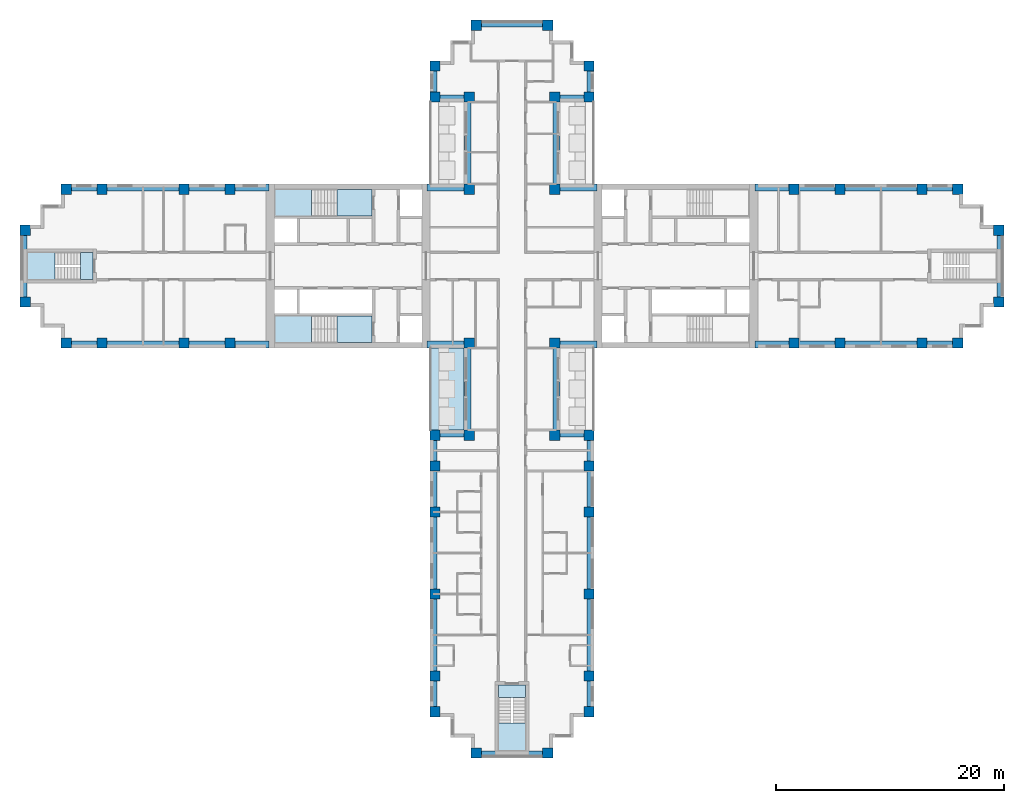
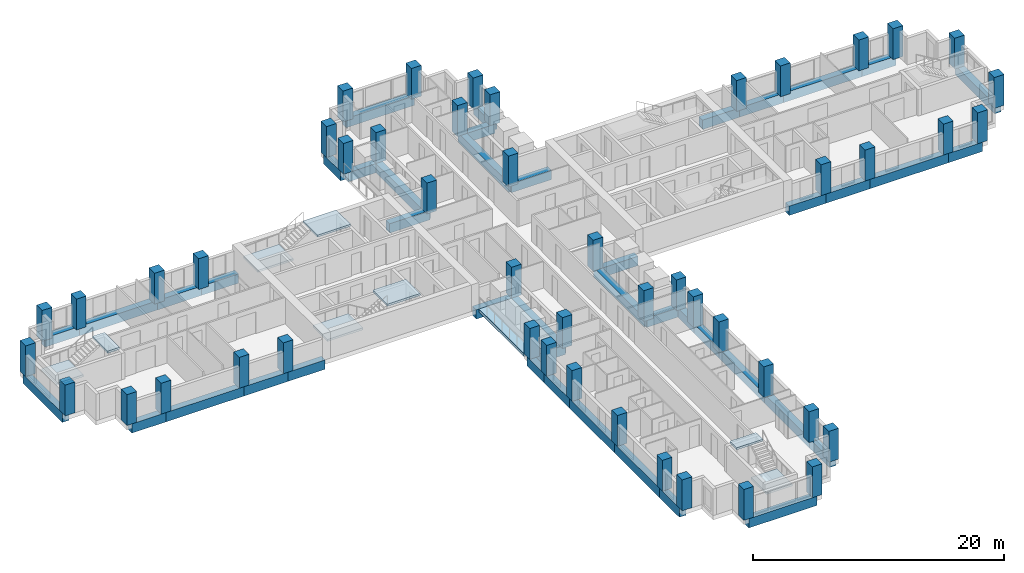
# One storey, part 1 of 13: 48 columns, 44 beams, 9 slabs, 4 elements without a shape of their own.
"""IFC4 building model written with IfcOpenShell, lengths in metres."""

from ifc_helpers import new_model, si_unit, direction, frame, origin, origin_2d, place, context, subcontext, project, spatial, polyline, rectangle, outline, extrude, material, layer, layer_set, material_profile, profile_set, type_object, element, aggregate, save


model = new_model("IFC4")

# Units and contexts
model_context = context("Model", 3, precision=1e-05, world=origin(), true_north=direction((0.0, 1.0)))
body_context = subcontext(model_context, "Body", "Model", "MODEL_VIEW")
ifc_project = project(units=[si_unit("LENGTHUNIT", "METRE"), si_unit("AREAUNIT", "SQUARE_METRE"), si_unit("VOLUMEUNIT", "CUBIC_METRE"), si_unit("PLANEANGLEUNIT", "RADIAN"), si_unit("MASSUNIT", "GRAM", prefix="KILO")], contexts=[model_context])

# Site, building, storey
site_placement = place(None, origin())
site = spatial("IfcSite", under=ifc_project, at=site_placement, CompositionType="ELEMENT")
building_placement = place(site_placement, origin())
building = spatial("IfcBuilding", under=site, at=building_placement, Name="Fustian Cross Tower", CompositionType="ELEMENT")
storey_placement = place(building_placement, frame((0.0, 0.0, 105.89990234375)))
storey = spatial("IfcBuildingStorey", under=building, at=storey_placement, Name="L33", CompositionType="ELEMENT", Elevation=105.89990234375)

# Columns
ifc_material_1 = material(Name="Concrete C60/75", Category="concrete")
ifc_material_profile_1 = material_profile(ifc_material_1, rectangle(XDim=0.89990234375, YDim=0.89990234375, at=origin_2d()), Name="RC 900x900")
ifc_profile_set_1 = profile_set([ifc_material_profile_1], Name="Concrete C60/75")
column_type = type_object("IfcColumnType", Name="COLUMN RC 900x900 C60/75", PredefinedType="COLUMN", material=ifc_profile_set_1)
for number, where, z_axis, x_axis, name in (
    (1, (-42.75, -3.14990234375, 0.0), (0.0, 0.0, 1.0), (1.0, 0.0, 0.0), "COLUMN 001"),
    (2, (-42.75, 3.14990234375, 0.0), (0.0, 0.0, 1.0), (1.0, 0.0, 0.0), "COLUMN 002"),
    (3, (-39.14990234375, -6.75, 0.0), (0.0, 0.0, 1.0), (1.0, 0.0, 0.0), "COLUMN 003"),
    (4, (-39.14990234375, 6.75, 0.0), (0.0, 0.0, 1.0), (1.0, 0.0, 0.0), "COLUMN 004"),
    (5, (-36.0, -6.75, 0.0), (0.0, 0.0, 1.0), (1.0, 0.0, 0.0), "COLUMN 005"),
    (6, (-36.0, 6.75, 0.0), (0.0, 0.0, 1.0), (1.0, 0.0, 0.0), "COLUMN 006"),
    (7, (-28.800048828125, -6.75, 0.0), (0.0, 0.0, 1.0), (1.0, 0.0, 0.0), "COLUMN 007"),
    (8, (-28.800048828125, 6.75, 0.0), (0.0, 0.0, 1.0), (1.0, 0.0, 0.0), "COLUMN 010"),
    (9, (-24.75, -6.75, 0.0), (0.0, 0.0, 1.0), (1.0, 0.0, 0.0), "COLUMN 011"),
    (10, (-24.75, 6.75, 0.0), (0.0, 0.0, 1.0), (1.0, 0.0, 0.0), "COLUMN 012"),
    (11, (-6.75, -39.14990234375, 0.0), (0.0, 0.0, 1.0), (1.0, 0.0, 0.0), "COLUMN 013"),
    (12, (-6.75, -36.0, 0.0), (0.0, 0.0, 1.0), (1.0, 0.0, 0.0), "COLUMN 014"),
    (13, (-6.75, -28.800048828125, 0.0), (0.0, 0.0, 1.0), (1.0, 0.0, 0.0), "COLUMN 015"),
    (14, (-6.75, -21.60009765625, 0.0), (0.0, 0.0, 1.0), (1.0, 0.0, 0.0), "COLUMN 016"),
    (15, (-6.75, -17.550048828125, 0.0), (0.0, 0.0, 1.0), (1.0, 0.0, 0.0), "COLUMN 017"),
    (16, (-6.75, -14.85009765625, 0.0), (0.0, 0.0, 1.0), (1.0, 0.0, 0.0), "COLUMN 018"),
    (17, (-6.75, 14.85009765625, 0.0), (0.0, 0.0, 1.0), (1.0, 0.0, 0.0), "COLUMN 019"),
    (18, (-6.75, 17.550048828125, 0.0), (0.0, 0.0, 1.0), (1.0, 0.0, 0.0), "COLUMN 020"),
    (19, (-3.75, -14.85009765625, 0.0), (0.0, 0.0, 1.0), (1.0, 0.0, 0.0), "COLUMN 025"),
    (20, (-3.75, -6.75, 0.0), (0.0, 0.0, 1.0), (1.0, 0.0, 0.0), "COLUMN 026"),
    (21, (-3.75, 6.75, 0.0), (0.0, 0.0, 1.0), (1.0, 0.0, 0.0), "COLUMN 027"),
    (22, (-3.75, 14.85009765625, 0.0), (0.0, 0.0, 1.0), (1.0, 0.0, 0.0), "COLUMN 028"),
    (23, (-3.14990234375, -42.75, 0.0), (0.0, 0.0, 1.0), (1.0, 0.0, 0.0), "COLUMN 029"),
    (24, (-3.14990234375, 21.14990234375, 0.0), (0.0, 0.0, 1.0), (1.0, 0.0, 0.0), "COLUMN 031"),
    (25, (3.14990234375, -42.75, 0.0), (0.0, 0.0, 1.0), (1.0, 0.0, 0.0), "COLUMN 033"),
    (26, (3.14990234375, 21.14990234375, 0.0), (0.0, 0.0, 1.0), (1.0, 0.0, 0.0), "COLUMN 035"),
    (27, (3.75, -14.85009765625, 0.0), (0.0, 0.0, 1.0), (1.0, 0.0, 0.0), "COLUMN 037"),
    (28, (3.75, -6.75, 0.0), (0.0, 0.0, 1.0), (1.0, 0.0, 0.0), "COLUMN 038"),
    (29, (3.75, 6.75, 0.0), (0.0, 0.0, 1.0), (1.0, 0.0, 0.0), "COLUMN 039"),
    (30, (3.75, 14.85009765625, 0.0), (0.0, 0.0, 1.0), (1.0, 0.0, 0.0), "COLUMN 040"),
    (31, (6.75, -39.14990234375, 0.0), (0.0, 0.0, 1.0), (1.0, 0.0, 0.0), "COLUMN 041"),
    (32, (6.75, -36.0, 0.0), (0.0, 0.0, 1.0), (1.0, 0.0, 0.0), "COLUMN 042"),
    (33, (6.75, -28.800048828125, 0.0), (0.0, 0.0, 1.0), (1.0, 0.0, 0.0), "COLUMN 043"),
    (34, (6.75, -21.60009765625, 0.0), (0.0, 0.0, 1.0), (1.0, 0.0, 0.0), "COLUMN 044"),
    (35, (6.75, -17.550048828125, 0.0), (0.0, 0.0, 1.0), (1.0, 0.0, 0.0), "COLUMN 045"),
    (36, (6.75, -14.85009765625, 0.0), (0.0, 0.0, 1.0), (1.0, 0.0, 0.0), "COLUMN 046"),
    (37, (6.75, 14.85009765625, 0.0), (0.0, 0.0, 1.0), (1.0, 0.0, 0.0), "COLUMN 047"),
    (38, (6.75, 17.550048828125, 0.0), (0.0, 0.0, 1.0), (1.0, 0.0, 0.0), "COLUMN 048"),
    (39, (24.75, -6.75, 0.0), (0.0, 0.0, 1.0), (1.0, 0.0, 0.0), "COLUMN 053"),
    (40, (24.75, 6.75, 0.0), (0.0, 0.0, 1.0), (1.0, 0.0, 0.0), "COLUMN 054"),
    (41, (28.800048828125, -6.75, 0.0), (0.0, 0.0, 1.0), (1.0, 0.0, 0.0), "COLUMN 055"),
    (42, (28.800048828125, 6.75, 0.0), (0.0, 0.0, 1.0), (1.0, 0.0, 0.0), "COLUMN 058"),
    (43, (36.0, -6.75, 0.0), (0.0, 0.0, 1.0), (1.0, 0.0, 0.0), "COLUMN 059"),
    (44, (36.0, 6.75, 0.0), (0.0, 0.0, 1.0), (1.0, 0.0, 0.0), "COLUMN 060"),
    (45, (39.14990234375, -6.75, 0.0), (0.0, 0.0, 1.0), (1.0, 0.0, 0.0), "COLUMN 061"),
    (46, (39.14990234375, 6.75, 0.0), (0.0, 0.0, 1.0), (1.0, 0.0, 0.0), "COLUMN 062"),
    (47, (42.75, -3.14990234375, 0.0), (0.0, 0.0, 1.0), (1.0, 0.0, 0.0), "COLUMN 063"),
    (48, (42.75, 3.14990234375, 0.0), (0.0, 0.0, 1.0), (1.0, 0.0, 0.0), "COLUMN 064"),
):
    element("IfcColumn", number, at=place(storey_placement, frame(where, z_axis=z_axis, x_axis=x_axis)), inside=storey, type_object=column_type, Name=name, PredefinedType="COLUMN", context=body_context, shape_type="SweptSolid", body=[
        extrude(rectangle(XDim=0.89990234375, YDim=0.89990234375, at=origin_2d()), origin(), (0.0, 0.0, 1.0), 3.0),
    ])

# Beams
ifc_material_2 = material(Name="Concrete C50/60", Category="concrete")
ifc_material_profile_2 = material_profile(ifc_material_2, rectangle(XDim=0.60009765625, YDim=0.89990234375, at=origin_2d()), Name="RC 600x900")
ifc_profile_set_2 = profile_set([ifc_material_profile_2], Name="Concrete C50/60")
beam_type = type_object("IfcBeamType", Name="EDGE BEAM RC 600x900 C50/60", PredefinedType="SPANDREL", material=ifc_profile_set_2)
beam_1_placement = place(storey_placement, frame((21.35009765625, -6.89990234375, -0.449951171875), z_axis=(1.0, 0.0, 0.0), x_axis=(0.0, 1.0, 0.0)))
element("IfcBeam", 49, at=beam_1_placement, inside=storey, type_object=beam_type, Name="EDGE BEAM L33-01", PredefinedType="SPANDREL", context=body_context, shape_type="SweptSolid", body=[
    extrude(rectangle(XDim=0.60009765625, YDim=0.89990234375, at=origin_2d()), origin(), (0.0, 0.0, 1.0), 3.39990234375),
])
beam_2_placement = place(storey_placement, frame((24.75, -6.89990234375, -0.449951171875), z_axis=(1.0, 0.0, 0.0), x_axis=(0.0, 1.0, 0.0)))
element("IfcBeam", 50, at=beam_2_placement, inside=storey, type_object=beam_type, Name="EDGE BEAM L33-02", PredefinedType="SPANDREL", context=body_context, shape_type="SweptSolid", body=[
    extrude(rectangle(XDim=0.60009765625, YDim=0.89990234375, at=origin_2d()), origin(), (0.0, 0.0, 1.0), 4.050048828125),
])
beam_3_placement = place(storey_placement, frame((28.800048828125, -6.89990234375, -0.449951171875), z_axis=(1.0, 0.0, 0.0), x_axis=(0.0, 1.0, 0.0)))
element("IfcBeam", 51, at=beam_3_placement, inside=storey, type_object=beam_type, Name="EDGE BEAM L33-03", PredefinedType="SPANDREL", context=body_context, shape_type="SweptSolid", body=[
    extrude(rectangle(XDim=0.60009765625, YDim=0.89990234375, at=origin_2d()), origin(), (0.0, 0.0, 1.0), 7.199951171875),
])
beam_4_placement = place(storey_placement, frame((36.0, -6.89990234375, -0.449951171875), z_axis=(1.0, 0.0, 0.0), x_axis=(0.0, 1.0, 0.0)))
element("IfcBeam", 52, at=beam_4_placement, inside=storey, type_object=beam_type, Name="EDGE BEAM L33-04", PredefinedType="SPANDREL", context=body_context, shape_type="SweptSolid", body=[
    extrude(rectangle(XDim=0.60009765625, YDim=0.89990234375, at=origin_2d()), origin(), (0.0, 0.0, 1.0), 3.14990234375),
])
beam_5_placement = place(storey_placement, frame((42.89990234375, -3.14990234375, -0.449951171875), z_axis=(0.0, 1.0, 0.0), x_axis=(-1.0, 0.0, 0.0)))
element("IfcBeam", 53, at=beam_5_placement, inside=storey, type_object=beam_type, Name="EDGE BEAM L33-05", PredefinedType="SPANDREL", context=body_context, shape_type="SweptSolid", body=[
    extrude(rectangle(XDim=0.60009765625, YDim=0.89990234375, at=origin_2d()), origin(), (0.0, 0.0, 1.0), 6.2998046875),
])
beam_6_placement = place(storey_placement, frame((39.14990234375, 6.89990234375, -0.449951171875), z_axis=(-1.0, 0.0, 0.0), x_axis=(0.0, -1.0, 0.0)))
element("IfcBeam", 54, at=beam_6_placement, inside=storey, type_object=beam_type, Name="EDGE BEAM L33-06", PredefinedType="SPANDREL", context=body_context, shape_type="SweptSolid", body=[
    extrude(rectangle(XDim=0.60009765625, YDim=0.89990234375, at=origin_2d()), origin(), (0.0, 0.0, 1.0), 3.14990234375),
])
beam_7_placement = place(storey_placement, frame((36.0, 6.89990234375, -0.449951171875), z_axis=(-1.0, 0.0, 0.0), x_axis=(0.0, -1.0, 0.0)))
element("IfcBeam", 55, at=beam_7_placement, inside=storey, type_object=beam_type, Name="EDGE BEAM L33-07", PredefinedType="SPANDREL", context=body_context, shape_type="SweptSolid", body=[
    extrude(rectangle(XDim=0.60009765625, YDim=0.89990234375, at=origin_2d()), origin(), (0.0, 0.0, 1.0), 7.199951171875),
])
beam_8_placement = place(storey_placement, frame((28.800048828125, 6.89990234375, -0.449951171875), z_axis=(-1.0, 0.0, 0.0), x_axis=(0.0, -1.0, 0.0)))
element("IfcBeam", 56, at=beam_8_placement, inside=storey, type_object=beam_type, Name="EDGE BEAM L33-08", PredefinedType="SPANDREL", context=body_context, shape_type="SweptSolid", body=[
    extrude(rectangle(XDim=0.60009765625, YDim=0.89990234375, at=origin_2d()), origin(), (0.0, 0.0, 1.0), 4.050048828125),
])
beam_9_placement = place(storey_placement, frame((24.75, 6.89990234375, -0.449951171875), z_axis=(-1.0, 0.0, 0.0), x_axis=(0.0, -1.0, 0.0)))
element("IfcBeam", 57, at=beam_9_placement, inside=storey, type_object=beam_type, Name="EDGE BEAM L33-09", PredefinedType="SPANDREL", context=body_context, shape_type="SweptSolid", body=[
    extrude(rectangle(XDim=0.60009765625, YDim=0.89990234375, at=origin_2d()), origin(), (0.0, 0.0, 1.0), 3.39990234375),
])
beam_10_placement = place(storey_placement, frame((7.449951171875, 6.89990234375, -0.449951171875), z_axis=(-1.0, 0.0, 0.0), x_axis=(0.0, -1.0, 0.0)))
element("IfcBeam", 58, at=beam_10_placement, inside=storey, type_object=beam_type, Name="EDGE BEAM L33-10", PredefinedType="SPANDREL", context=body_context, shape_type="SweptSolid", body=[
    extrude(rectangle(XDim=0.60009765625, YDim=0.89990234375, at=origin_2d()), origin(), (0.0, 0.0, 1.0), 3.699951171875),
])
beam_11_placement = place(storey_placement, frame((3.89990234375, 6.75, -0.449951171875), z_axis=(0.0, 1.0, 0.0), x_axis=(-1.0, 0.0, 0.0)))
element("IfcBeam", 59, at=beam_11_placement, inside=storey, type_object=beam_type, Name="EDGE BEAM L33-11", PredefinedType="SPANDREL", context=body_context, shape_type="SweptSolid", body=[
    extrude(rectangle(XDim=0.60009765625, YDim=0.89990234375, at=origin_2d()), origin(), (0.0, 0.0, 1.0), 8.10009765625),
])
beam_12_placement = place(storey_placement, frame((3.75, 14.699951171875, -0.449951171875), z_axis=(1.0, 0.0, 0.0), x_axis=(0.0, 1.0, 0.0)))
element("IfcBeam", 60, at=beam_12_placement, inside=storey, type_object=beam_type, Name="EDGE BEAM L33-12", PredefinedType="SPANDREL", context=body_context, shape_type="SweptSolid", body=[
    extrude(rectangle(XDim=0.60009765625, YDim=0.89990234375, at=origin_2d()), origin(), (0.0, 0.0, 1.0), 3.0),
])
beam_13_placement = place(storey_placement, frame((6.89990234375, 14.85009765625, -0.449951171875), z_axis=(0.0, 1.0, 0.0), x_axis=(-1.0, 0.0, 0.0)))
element("IfcBeam", 61, at=beam_13_placement, inside=storey, type_object=beam_type, Name="EDGE BEAM L33-13", PredefinedType="SPANDREL", context=body_context, shape_type="SweptSolid", body=[
    extrude(rectangle(XDim=0.60009765625, YDim=0.89990234375, at=origin_2d()), origin(), (0.0, 0.0, 1.0), 2.699951171875),
])
beam_14_placement = place(storey_placement, frame((3.14990234375, 21.300048828125, -0.449951171875), z_axis=(-1.0, 0.0, 0.0), x_axis=(0.0, -1.0, 0.0)))
element("IfcBeam", 62, at=beam_14_placement, inside=storey, type_object=beam_type, Name="EDGE BEAM L33-14", PredefinedType="SPANDREL", context=body_context, shape_type="SweptSolid", body=[
    extrude(rectangle(XDim=0.60009765625, YDim=0.89990234375, at=origin_2d()), origin(), (0.0, 0.0, 1.0), 6.2998046875),
])
beam_15_placement = place(storey_placement, frame((-6.89990234375, 17.550048828125, -0.449951171875), z_axis=(0.0, -1.0, 0.0), x_axis=(1.0, 0.0, 0.0)))
element("IfcBeam", 63, at=beam_15_placement, inside=storey, type_object=beam_type, Name="EDGE BEAM L33-15", PredefinedType="SPANDREL", context=body_context, shape_type="SweptSolid", body=[
    extrude(rectangle(XDim=0.60009765625, YDim=0.89990234375, at=origin_2d()), origin(), (0.0, 0.0, 1.0), 2.699951171875),
])
beam_16_placement = place(storey_placement, frame((-6.75, 14.699951171875, -0.449951171875), z_axis=(1.0, 0.0, 0.0), x_axis=(0.0, 1.0, 0.0)))
element("IfcBeam", 64, at=beam_16_placement, inside=storey, type_object=beam_type, Name="EDGE BEAM L33-16", PredefinedType="SPANDREL", context=body_context, shape_type="SweptSolid", body=[
    extrude(rectangle(XDim=0.60009765625, YDim=0.89990234375, at=origin_2d()), origin(), (0.0, 0.0, 1.0), 3.0),
])
beam_17_placement = place(storey_placement, frame((-3.89990234375, 14.85009765625, -0.449951171875), z_axis=(0.0, -1.0, 0.0), x_axis=(1.0, 0.0, 0.0)))
element("IfcBeam", 65, at=beam_17_placement, inside=storey, type_object=beam_type, Name="EDGE BEAM L33-17", PredefinedType="SPANDREL", context=body_context, shape_type="SweptSolid", body=[
    extrude(rectangle(XDim=0.60009765625, YDim=0.89990234375, at=origin_2d()), origin(), (0.0, 0.0, 1.0), 8.10009765625),
])
beam_18_placement = place(storey_placement, frame((-3.75, 6.89990234375, -0.449951171875), z_axis=(-1.0, 0.0, 0.0), x_axis=(0.0, -1.0, 0.0)))
element("IfcBeam", 66, at=beam_18_placement, inside=storey, type_object=beam_type, Name="EDGE BEAM L33-18", PredefinedType="SPANDREL", context=body_context, shape_type="SweptSolid", body=[
    extrude(rectangle(XDim=0.60009765625, YDim=0.89990234375, at=origin_2d()), origin(), (0.0, 0.0, 1.0), 3.699951171875),
])
beam_19_placement = place(storey_placement, frame((-21.35009765625, 6.89990234375, -0.449951171875), z_axis=(-1.0, 0.0, 0.0), x_axis=(0.0, -1.0, 0.0)))
element("IfcBeam", 67, at=beam_19_placement, inside=storey, type_object=beam_type, Name="EDGE BEAM L33-19", PredefinedType="SPANDREL", context=body_context, shape_type="SweptSolid", body=[
    extrude(rectangle(XDim=0.60009765625, YDim=0.89990234375, at=origin_2d()), origin(), (0.0, 0.0, 1.0), 3.39990234375),
])
beam_20_placement = place(storey_placement, frame((-24.75, 6.89990234375, -0.449951171875), z_axis=(-1.0, 0.0, 0.0), x_axis=(0.0, -1.0, 0.0)))
element("IfcBeam", 68, at=beam_20_placement, inside=storey, type_object=beam_type, Name="EDGE BEAM L33-20", PredefinedType="SPANDREL", context=body_context, shape_type="SweptSolid", body=[
    extrude(rectangle(XDim=0.60009765625, YDim=0.89990234375, at=origin_2d()), origin(), (0.0, 0.0, 1.0), 4.050048828125),
])
beam_21_placement = place(storey_placement, frame((-28.800048828125, 6.89990234375, -0.449951171875), z_axis=(-1.0, 0.0, 0.0), x_axis=(0.0, -1.0, 0.0)))
element("IfcBeam", 69, at=beam_21_placement, inside=storey, type_object=beam_type, Name="EDGE BEAM L33-21", PredefinedType="SPANDREL", context=body_context, shape_type="SweptSolid", body=[
    extrude(rectangle(XDim=0.60009765625, YDim=0.89990234375, at=origin_2d()), origin(), (0.0, 0.0, 1.0), 7.199951171875),
])
beam_22_placement = place(storey_placement, frame((-36.0, 6.89990234375, -0.449951171875), z_axis=(-1.0, 0.0, 0.0), x_axis=(0.0, -1.0, 0.0)))
element("IfcBeam", 70, at=beam_22_placement, inside=storey, type_object=beam_type, Name="EDGE BEAM L33-22", PredefinedType="SPANDREL", context=body_context, shape_type="SweptSolid", body=[
    extrude(rectangle(XDim=0.60009765625, YDim=0.89990234375, at=origin_2d()), origin(), (0.0, 0.0, 1.0), 3.14990234375),
])
beam_23_placement = place(storey_placement, frame((-42.89990234375, 3.14990234375, -0.449951171875), z_axis=(0.0, -1.0, 0.0), x_axis=(1.0, 0.0, 0.0)))
element("IfcBeam", 71, at=beam_23_placement, inside=storey, type_object=beam_type, Name="EDGE BEAM L33-23", PredefinedType="SPANDREL", context=body_context, shape_type="SweptSolid", body=[
    extrude(rectangle(XDim=0.60009765625, YDim=0.89990234375, at=origin_2d()), origin(), (0.0, 0.0, 1.0), 6.2998046875),
])
beam_24_placement = place(storey_placement, frame((-39.14990234375, -6.89990234375, -0.449951171875), z_axis=(1.0, 0.0, 0.0), x_axis=(0.0, 1.0, 0.0)))
element("IfcBeam", 72, at=beam_24_placement, inside=storey, type_object=beam_type, Name="EDGE BEAM L33-24", PredefinedType="SPANDREL", context=body_context, shape_type="SweptSolid", body=[
    extrude(rectangle(XDim=0.60009765625, YDim=0.89990234375, at=origin_2d()), origin(), (0.0, 0.0, 1.0), 3.14990234375),
])
beam_25_placement = place(storey_placement, frame((-36.0, -6.89990234375, -0.449951171875), z_axis=(1.0, 0.0, 0.0), x_axis=(0.0, 1.0, 0.0)))
element("IfcBeam", 73, at=beam_25_placement, inside=storey, type_object=beam_type, Name="EDGE BEAM L33-25", PredefinedType="SPANDREL", context=body_context, shape_type="SweptSolid", body=[
    extrude(rectangle(XDim=0.60009765625, YDim=0.89990234375, at=origin_2d()), origin(), (0.0, 0.0, 1.0), 7.199951171875),
])
beam_26_placement = place(storey_placement, frame((-28.800048828125, -6.89990234375, -0.449951171875), z_axis=(1.0, 0.0, 0.0), x_axis=(0.0, 1.0, 0.0)))
element("IfcBeam", 74, at=beam_26_placement, inside=storey, type_object=beam_type, Name="EDGE BEAM L33-26", PredefinedType="SPANDREL", context=body_context, shape_type="SweptSolid", body=[
    extrude(rectangle(XDim=0.60009765625, YDim=0.89990234375, at=origin_2d()), origin(), (0.0, 0.0, 1.0), 4.050048828125),
])
beam_27_placement = place(storey_placement, frame((-24.75, -6.89990234375, -0.449951171875), z_axis=(1.0, 0.0, 0.0), x_axis=(0.0, 1.0, 0.0)))
element("IfcBeam", 75, at=beam_27_placement, inside=storey, type_object=beam_type, Name="EDGE BEAM L33-27", PredefinedType="SPANDREL", context=body_context, shape_type="SweptSolid", body=[
    extrude(rectangle(XDim=0.60009765625, YDim=0.89990234375, at=origin_2d()), origin(), (0.0, 0.0, 1.0), 3.39990234375),
])
beam_28_placement = place(storey_placement, frame((-7.449951171875, -6.89990234375, -0.449951171875), z_axis=(1.0, 0.0, 0.0), x_axis=(0.0, 1.0, 0.0)))
element("IfcBeam", 76, at=beam_28_placement, inside=storey, type_object=beam_type, Name="EDGE BEAM L33-28", PredefinedType="SPANDREL", context=body_context, shape_type="SweptSolid", body=[
    extrude(rectangle(XDim=0.60009765625, YDim=0.89990234375, at=origin_2d()), origin(), (0.0, 0.0, 1.0), 3.699951171875),
])
beam_29_placement = place(storey_placement, frame((-3.89990234375, -6.75, -0.449951171875), z_axis=(0.0, -1.0, 0.0), x_axis=(1.0, 0.0, 0.0)))
element("IfcBeam", 77, at=beam_29_placement, inside=storey, type_object=beam_type, Name="EDGE BEAM L33-29", PredefinedType="SPANDREL", context=body_context, shape_type="SweptSolid", body=[
    extrude(rectangle(XDim=0.60009765625, YDim=0.89990234375, at=origin_2d()), origin(), (0.0, 0.0, 1.0), 8.10009765625),
])
beam_30_placement = place(storey_placement, frame((-3.75, -14.699951171875, -0.449951171875), z_axis=(-1.0, 0.0, 0.0), x_axis=(0.0, -1.0, 0.0)))
element("IfcBeam", 78, at=beam_30_placement, inside=storey, type_object=beam_type, Name="EDGE BEAM L33-30", PredefinedType="SPANDREL", context=body_context, shape_type="SweptSolid", body=[
    extrude(rectangle(XDim=0.60009765625, YDim=0.89990234375, at=origin_2d()), origin(), (0.0, 0.0, 1.0), 3.0),
])
beam_31_placement = place(storey_placement, frame((-6.89990234375, -14.85009765625, -0.449951171875), z_axis=(0.0, -1.0, 0.0), x_axis=(1.0, 0.0, 0.0)))
element("IfcBeam", 79, at=beam_31_placement, inside=storey, type_object=beam_type, Name="EDGE BEAM L33-31", PredefinedType="SPANDREL", context=body_context, shape_type="SweptSolid", body=[
    extrude(rectangle(XDim=0.60009765625, YDim=0.89990234375, at=origin_2d()), origin(), (0.0, 0.0, 1.0), 2.699951171875),
])
beam_32_placement = place(storey_placement, frame((-6.89990234375, -17.550048828125, -0.449951171875), z_axis=(0.0, -1.0, 0.0), x_axis=(1.0, 0.0, 0.0)))
element("IfcBeam", 80, at=beam_32_placement, inside=storey, type_object=beam_type, Name="EDGE BEAM L33-32", PredefinedType="SPANDREL", context=body_context, shape_type="SweptSolid", body=[
    extrude(rectangle(XDim=0.60009765625, YDim=0.89990234375, at=origin_2d()), origin(), (0.0, 0.0, 1.0), 4.050048828125),
])
for number, where, z_axis, x_axis, name in (
    (81, (-6.89990234375, -21.60009765625, -0.449951171875), (0.0, -1.0, 0.0), (1.0, 0.0, 0.0), "EDGE BEAM L33-33"),
    (82, (-6.89990234375, -28.800048828125, -0.449951171875), (0.0, -1.0, 0.0), (1.0, 0.0, 0.0), "EDGE BEAM L33-34"),
):
    element("IfcBeam", number, at=place(storey_placement, frame(where, z_axis=z_axis, x_axis=x_axis)), inside=storey, type_object=beam_type, Name=name, PredefinedType="SPANDREL", context=body_context, shape_type="SweptSolid", body=[
        extrude(rectangle(XDim=0.60009765625, YDim=0.89990234375, at=origin_2d()), origin(), (0.0, 0.0, 1.0), 7.199951171875),
    ])
beam_33_placement = place(storey_placement, frame((-6.89990234375, -36.0, -0.449951171875), z_axis=(0.0, -1.0, 0.0), x_axis=(1.0, 0.0, 0.0)))
element("IfcBeam", 83, at=beam_33_placement, inside=storey, type_object=beam_type, Name="EDGE BEAM L33-35", PredefinedType="SPANDREL", context=body_context, shape_type="SweptSolid", body=[
    extrude(rectangle(XDim=0.60009765625, YDim=0.89990234375, at=origin_2d()), origin(), (0.0, 0.0, 1.0), 3.14990234375),
])
beam_34_placement = place(storey_placement, frame((-3.14990234375, -42.89990234375, -0.449951171875), z_axis=(1.0, 0.0, 0.0), x_axis=(0.0, 1.0, 0.0)))
element("IfcBeam", 84, at=beam_34_placement, inside=storey, type_object=beam_type, Name="EDGE BEAM L33-36", PredefinedType="SPANDREL", context=body_context, shape_type="SweptSolid", body=[
    extrude(rectangle(XDim=0.60009765625, YDim=0.89990234375, at=origin_2d()), origin(), (0.0, 0.0, 1.0), 6.2998046875),
])
beam_35_placement = place(storey_placement, frame((6.89990234375, -39.14990234375, -0.449951171875), z_axis=(0.0, 1.0, 0.0), x_axis=(-1.0, 0.0, 0.0)))
element("IfcBeam", 85, at=beam_35_placement, inside=storey, type_object=beam_type, Name="EDGE BEAM L33-37", PredefinedType="SPANDREL", context=body_context, shape_type="SweptSolid", body=[
    extrude(rectangle(XDim=0.60009765625, YDim=0.89990234375, at=origin_2d()), origin(), (0.0, 0.0, 1.0), 3.14990234375),
])
for number, where, z_axis, x_axis, name in (
    (86, (6.89990234375, -36.0, -0.449951171875), (0.0, 1.0, 0.0), (-1.0, 0.0, 0.0), "EDGE BEAM L33-38"),
    (87, (6.89990234375, -28.800048828125, -0.449951171875), (0.0, 1.0, 0.0), (-1.0, 0.0, 0.0), "EDGE BEAM L33-39"),
):
    element("IfcBeam", number, at=place(storey_placement, frame(where, z_axis=z_axis, x_axis=x_axis)), inside=storey, type_object=beam_type, Name=name, PredefinedType="SPANDREL", context=body_context, shape_type="SweptSolid", body=[
        extrude(rectangle(XDim=0.60009765625, YDim=0.89990234375, at=origin_2d()), origin(), (0.0, 0.0, 1.0), 7.199951171875),
    ])
beam_36_placement = place(storey_placement, frame((6.89990234375, -21.60009765625, -0.449951171875), z_axis=(0.0, 1.0, 0.0), x_axis=(-1.0, 0.0, 0.0)))
element("IfcBeam", 88, at=beam_36_placement, inside=storey, type_object=beam_type, Name="EDGE BEAM L33-40", PredefinedType="SPANDREL", context=body_context, shape_type="SweptSolid", body=[
    extrude(rectangle(XDim=0.60009765625, YDim=0.89990234375, at=origin_2d()), origin(), (0.0, 0.0, 1.0), 4.050048828125),
])
beam_37_placement = place(storey_placement, frame((6.89990234375, -17.550048828125, -0.449951171875), z_axis=(0.0, 1.0, 0.0), x_axis=(-1.0, 0.0, 0.0)))
element("IfcBeam", 89, at=beam_37_placement, inside=storey, type_object=beam_type, Name="EDGE BEAM L33-41", PredefinedType="SPANDREL", context=body_context, shape_type="SweptSolid", body=[
    extrude(rectangle(XDim=0.60009765625, YDim=0.89990234375, at=origin_2d()), origin(), (0.0, 0.0, 1.0), 2.699951171875),
])
beam_38_placement = place(storey_placement, frame((6.75, -14.699951171875, -0.449951171875), z_axis=(-1.0, 0.0, 0.0), x_axis=(0.0, -1.0, 0.0)))
element("IfcBeam", 90, at=beam_38_placement, inside=storey, type_object=beam_type, Name="EDGE BEAM L33-42", PredefinedType="SPANDREL", context=body_context, shape_type="SweptSolid", body=[
    extrude(rectangle(XDim=0.60009765625, YDim=0.89990234375, at=origin_2d()), origin(), (0.0, 0.0, 1.0), 3.0),
])
beam_39_placement = place(storey_placement, frame((3.89990234375, -14.85009765625, -0.449951171875), z_axis=(0.0, 1.0, 0.0), x_axis=(-1.0, 0.0, 0.0)))
element("IfcBeam", 91, at=beam_39_placement, inside=storey, type_object=beam_type, Name="EDGE BEAM L33-43", PredefinedType="SPANDREL", context=body_context, shape_type="SweptSolid", body=[
    extrude(rectangle(XDim=0.60009765625, YDim=0.89990234375, at=origin_2d()), origin(), (0.0, 0.0, 1.0), 8.10009765625),
])
beam_40_placement = place(storey_placement, frame((3.75, -6.89990234375, -0.449951171875), z_axis=(1.0, 0.0, 0.0), x_axis=(0.0, 1.0, 0.0)))
element("IfcBeam", 92, at=beam_40_placement, inside=storey, type_object=beam_type, Name="EDGE BEAM L33-44", PredefinedType="SPANDREL", context=body_context, shape_type="SweptSolid", body=[
    extrude(rectangle(XDim=0.60009765625, YDim=0.89990234375, at=origin_2d()), origin(), (0.0, 0.0, 1.0), 3.699951171875),
])

# Slab
ifc_material_3 = material(Name="Concrete C40/50", Category="concrete")
ifc_layer_1 = layer(ifc_material_3, 0.300048828125)
ifc_layer_set_1 = layer_set([ifc_layer_1], Name="Concrete C40/50")
slab_type_1 = type_object("IfcSlabType", Name="BS1 BALCONY SLAB 300", PredefinedType="FLOOR", material=ifc_layer_set_1)
slab_1_placement = place(storey_placement, frame((0.0, 0.0, -0.2998046875)))
element("IfcSlab", 93, at=slab_1_placement, inside=storey, type_object=slab_type_1, Name="Balcony slab", PredefinedType="FLOOR", context=body_context, shape_type="SweptSolid", body=[
    extrude(outline(polyline([(-7.199951171875, -14.39990234375), (-4.199951171875, -14.39990234375), (-4.199951171875, -7.199951171875), (-7.199951171875, -7.199951171875), (-7.199951171875, -14.39990234375)])), origin(), (0.0, 0.0, 1.0), 0.2998046875),
])

# Stair, slabs
ifc_material_4 = material(Name="Concrete C50/60", Category="concrete")
stair_type_1 = type_object("IfcStairType", Name="STAIR 1150 HALF TURN", PredefinedType="HALF_TURN_STAIR", material=ifc_material_4)
stair_1_placement = place(storey_placement, origin())
stair_1 = element("IfcStair", 94, at=stair_1_placement, inside=storey, type_object=stair_type_1, Name="Stair ST3", PredefinedType="HALF_TURN_STAIR")
ifc_material_5 = material(Name="Concrete C50/60", Category="concrete")
ifc_layer_2 = layer(ifc_material_5, 0.199951171875)
ifc_layer_set_2 = layer_set([ifc_layer_2], Name="Concrete C50/60")
slab_type_2 = type_object("IfcSlabType", Name="STAIR LANDING", PredefinedType="LANDING", material=ifc_layer_set_2)
slab_2_placement = place(storey_placement, frame((0.0, 0.0, 1.300048828125)))
slab_2 = element("IfcSlab", 95, at=slab_2_placement, type_object=slab_type_2, Name="ST3 landing 1", PredefinedType="LANDING", context=body_context, shape_type="SweptSolid", body=[
    extrude(outline(polyline([(-17.590087890625, 4.39990234375), (-20.85009765625, 4.39990234375), (-20.85009765625, 6.699951171875), (-17.590087890625, 6.699951171875), (-17.590087890625, 4.39990234375)])), origin(), (0.0, 0.0, 1.0), 0.199951171875),
])
slab_3_placement = place(storey_placement, frame((0.0, 0.0, 2.800048828125)))
slab_3 = element("IfcSlab", 96, at=slab_3_placement, type_object=slab_type_2, Name="ST3 landing 2", PredefinedType="LANDING", context=body_context, shape_type="SweptSolid", body=[
    extrude(outline(polyline([(-12.300048828125, 4.39990234375), (-15.35009765625, 4.39990234375), (-15.35009765625, 6.699951171875), (-12.300048828125, 6.699951171875), (-12.300048828125, 4.39990234375)])), origin(), (0.0, 0.0, 1.0), 0.199951171875),
])
aggregate(stair_1, [slab_2, slab_3])

stair_2_placement = place(storey_placement, origin())
stair_2 = element("IfcStair", 97, at=stair_2_placement, inside=storey, type_object=stair_type_1, Name="Stair ST4", PredefinedType="HALF_TURN_STAIR")
slab_4_placement = place(storey_placement, frame((0.0, 0.0, 1.300048828125)))
slab_4 = element("IfcSlab", 98, at=slab_4_placement, type_object=slab_type_2, Name="ST4 landing 1", PredefinedType="LANDING", context=body_context, shape_type="SweptSolid", body=[
    extrude(outline(polyline([(-17.590087890625, -4.39990234375), (-20.85009765625, -4.39990234375), (-20.85009765625, -6.699951171875), (-17.590087890625, -6.699951171875), (-17.590087890625, -4.39990234375)])), origin(), (0.0, 0.0, 1.0), 0.199951171875),
])
slab_5_placement = place(storey_placement, frame((0.0, 0.0, 2.800048828125)))
slab_5 = element("IfcSlab", 99, at=slab_5_placement, type_object=slab_type_2, Name="ST4 landing 2", PredefinedType="LANDING", context=body_context, shape_type="SweptSolid", body=[
    extrude(outline(polyline([(-12.300048828125, -4.39990234375), (-15.35009765625, -4.39990234375), (-15.35009765625, -6.699951171875), (-12.300048828125, -6.699951171875), (-12.300048828125, -4.39990234375)])), origin(), (0.0, 0.0, 1.0), 0.199951171875),
])
aggregate(stair_2, [slab_4, slab_5])

ifc_material_6 = material(Name="Concrete C50/60", Category="concrete")
stair_type_2 = type_object("IfcStairType", Name="STAIR 1100 HALF TURN", PredefinedType="HALF_TURN_STAIR", material=ifc_material_6)
stair_3_placement = place(storey_placement, origin())
stair_3 = element("IfcStair", 100, at=stair_3_placement, inside=storey, type_object=stair_type_2, Name="Stair ST6", PredefinedType="HALF_TURN_STAIR")
slab_6_placement = place(storey_placement, frame((0.0, 0.0, 1.300048828125)))
slab_6 = element("IfcSlab", 101, at=slab_6_placement, type_object=slab_type_2, Name="ST6 landing 1", PredefinedType="LANDING", context=body_context, shape_type="SweptSolid", body=[
    extrude(outline(polyline([(-1.199951171875, -40.139892578125), (-1.199951171875, -42.60009765625), (1.199951171875, -42.60009765625), (1.199951171875, -40.139892578125), (-1.199951171875, -40.139892578125)])), origin(), (0.0, 0.0, 1.0), 0.199951171875),
])
slab_7_placement = place(storey_placement, frame((0.0, 0.0, 2.800048828125)))
slab_7 = element("IfcSlab", 102, at=slab_7_placement, type_object=slab_type_2, Name="ST6 landing 2", PredefinedType="LANDING", context=body_context, shape_type="SweptSolid", body=[
    extrude(outline(polyline([(-1.199951171875, -36.800048828125), (-1.199951171875, -37.89990234375), (1.199951171875, -37.89990234375), (1.199951171875, -36.800048828125), (-1.199951171875, -36.800048828125)])), origin(), (0.0, 0.0, 1.0), 0.199951171875),
])
aggregate(stair_3, [slab_6, slab_7])

stair_4_placement = place(storey_placement, origin())
stair_4 = element("IfcStair", 103, at=stair_4_placement, inside=storey, type_object=stair_type_2, Name="Stair ST9", PredefinedType="HALF_TURN_STAIR")
slab_8_placement = place(storey_placement, frame((0.0, 0.0, 1.300048828125)))
slab_8 = element("IfcSlab", 104, at=slab_8_placement, type_object=slab_type_2, Name="ST9 landing 1", PredefinedType="LANDING", context=body_context, shape_type="SweptSolid", body=[
    extrude(outline(polyline([(-40.139892578125, -1.199951171875), (-42.60009765625, -1.199951171875), (-42.60009765625, 1.199951171875), (-40.139892578125, 1.199951171875), (-40.139892578125, -1.199951171875)])), origin(), (0.0, 0.0, 1.0), 0.199951171875),
])
slab_9_placement = place(storey_placement, frame((0.0, 0.0, 2.800048828125)))
slab_9 = element("IfcSlab", 105, at=slab_9_placement, type_object=slab_type_2, Name="ST9 landing 2", PredefinedType="LANDING", context=body_context, shape_type="SweptSolid", body=[
    extrude(outline(polyline([(-36.800048828125, -1.199951171875), (-37.89990234375, -1.199951171875), (-37.89990234375, 1.199951171875), (-36.800048828125, 1.199951171875), (-36.800048828125, -1.199951171875)])), origin(), (0.0, 0.0, 1.0), 0.199951171875),
])
aggregate(stair_4, [slab_8, slab_9])

save(model, "model.ifc")
